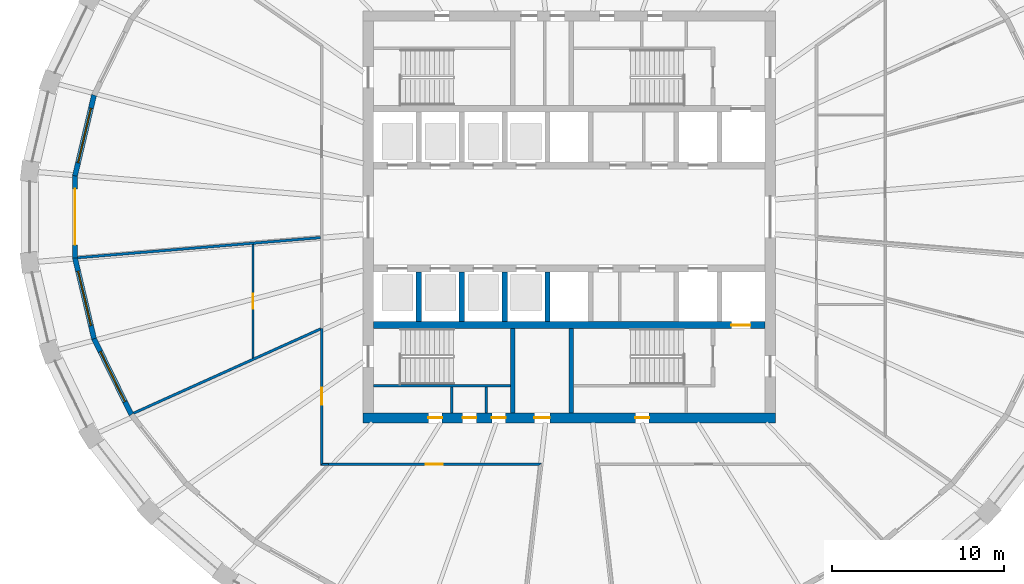
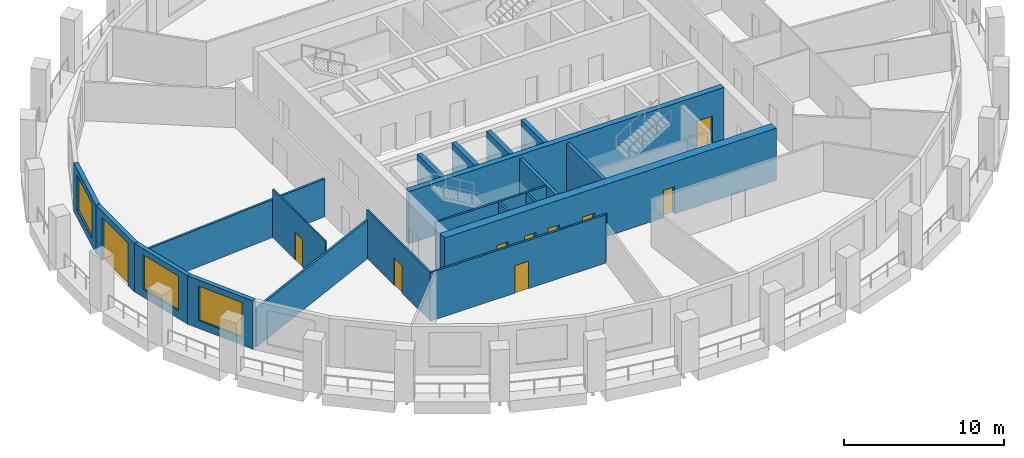
# One storey, part 3 of 11: 21 walls, 10 doors, 3 windows, 13 openings.
"""IFC4 building model written with IfcOpenShell, lengths in metres."""

from ifc_helpers import new_model, si_unit, direction, frame, frame_2d, origin, place, context, subcontext, project, spatial, polyline, rectangle, outline, extrude, material, layer, layer_set, type_object, element, fill, save


model = new_model("IFC4")

# Units and contexts
model_context = context("Model", 3, precision=1e-05, world=origin(), true_north=direction((0.0, 1.0)))
body_context = subcontext(model_context, "Body", "Model", "MODEL_VIEW")
ifc_project = project(units=[si_unit("LENGTHUNIT", "METRE"), si_unit("AREAUNIT", "SQUARE_METRE"), si_unit("VOLUMEUNIT", "CUBIC_METRE"), si_unit("PLANEANGLEUNIT", "RADIAN"), si_unit("MASSUNIT", "GRAM", prefix="KILO")], contexts=[model_context])

# Site, building, storey
site_placement = place(None, origin())
site = spatial("IfcSite", under=ifc_project, at=site_placement, CompositionType="ELEMENT")
building_placement = place(site_placement, origin())
building = spatial("IfcBuilding", under=site, at=building_placement, Name="Halqa Exchange Tower", CompositionType="ELEMENT")
storey_placement = place(building_placement, frame((0.0, 0.0, 230.89990234375)))
storey = spatial("IfcBuildingStorey", under=building, at=storey_placement, Name="L53", CompositionType="ELEMENT", Elevation=230.89990234375)

# Walls
ifc_material_1 = material(Name="Fire-rated gypsum board")
ifc_layer_1 = layer(ifc_material_1, 0.14990234375)
ifc_layer_set_1 = layer_set([ifc_layer_1], Name="Fire-rated gypsum board")
wall_type_1 = type_object("IfcWallType", Name="Fire partition EI 60 150", PredefinedType="PARTITIONING", material=ifc_layer_set_1)
wall_1_placement = place(storey_placement, frame((-28.607666015625, -2.375, 0.0), z_axis=(0.0, 0.0, 1.0), x_axis=(0.996598135394, 0.082414540768, 0.0)))
element("IfcWall", 1, at=wall_1_placement, inside=storey, type_object=wall_type_1, Name="L53-PWL-001", PredefinedType="PARTITIONING", context=body_context, shape_type="SweptSolid", body=[
    extrude(outline(polyline([(0.004638671875, -0.074951171875), (1.701416015625, -0.074951171875), (3.3984375, -0.074951171875), (5.095458984375, -0.074951171875), (6.792236328125, -0.074951171875), (8.4892578125, -0.074951171875), (10.18603515625, -0.074951171875), (10.186279296875, -0.07470703125), (10.188720703125, -0.074951171875), (12.181640625, -0.074951171875), (14.1748046875, -0.074951171875), (14.186767578125, 0.07080078125), (14.186767578125, 0.074951171875), (12.413330078125, 0.074951171875), (10.64013671875, 0.074951171875), (8.86669921875, 0.074951171875), (7.09326171875, 0.074951171875), (5.320068359375, 0.074951171875), (3.546630859375, 0.074951171875), (1.7734375, 0.074951171875), (0.0, 0.074951171875), (0.0, -0.04443359375), (0.004638671875, -0.074951171875)])), origin(), (0.0, 0.0, 1.0), 2.900146484375),
])
wall_2_placement = place(storey_placement, frame((-25.360107421875, -11.428466796875, 0.0), z_axis=(0.0, 0.0, 1.0), x_axis=(0.911719171836, 0.410814011089, 0.0)))
element("IfcWall", 2, at=wall_2_placement, inside=storey, type_object=wall_type_1, Name="L53-PWL-002", PredefinedType="PARTITIONING", context=body_context, shape_type="SweptSolid", body=[
    extrude(outline(polyline([(0.0205078125, -0.074951171875), (2.004150390625, -0.074951171875), (3.98779296875, -0.074951171875), (5.97119140625, -0.074951171875), (7.954833984375, -0.074951171875), (9.938232421875, -0.074951171875), (11.921875, -0.074951171875), (11.966552734375, 0.024658203125), (11.952880859375, 0.03076171875), (11.972412109375, 0.073974609375), (11.972412109375, 0.074951171875), (10.555908203125, 0.074951171875), (9.13916015625, 0.074951171875), (7.72265625, 0.074951171875), (7.7216796875, 0.07275390625), (7.716796875, 0.074951171875), (5.78759765625, 0.074951171875), (3.8583984375, 0.074951171875), (1.92919921875, 0.074951171875), (0.0, 0.074951171875), (0.0, 0.062744140625), (0.002197265625, -0.001708984375), (0.0205078125, -0.074951171875)])), origin(), (0.0, 0.0, 1.0), 2.947021484375),
])

# Wall, opening, door
wall_3_placement = place(storey_placement, frame((-1.595703125, -14.39990234375, 0.0), z_axis=(0.0, 0.0, 1.0), x_axis=(-1.0, 0.0, 0.0)))
wall_3 = element("IfcWall", 3, at=wall_3_placement, inside=storey, type_object=wall_type_1, Name="L53-PWL-012", PredefinedType="PARTITIONING", context=body_context, shape_type="SweptSolid", body=[
    extrude(outline(polyline([(12.414306640625, 0.074951171875), (10.664794921875, 0.074951171875), (8.91552734375, 0.074951171875), (7.166015625, 0.074951171875), (5.416748046875, 0.074951171875), (3.667236328125, 0.074951171875), (1.917724609375, 0.074951171875), (0.16845703125, 0.074951171875), (0.0, -0.074951171875), (0.0, -0.074951171875), (1.7734375, -0.074951171875), (3.546875, -0.074951171875), (5.3203125, -0.074951171875), (7.093994140625, -0.074951171875), (8.867431640625, -0.074951171875), (10.640869140625, -0.074951171875), (12.414306640625, -0.074951171875), (12.414306640625, 0.074951171875)])), origin(), (0.0, 0.0, 1.0), 3.7001953125),
])
opening_1_placement = place(wall_3_placement, frame((5.749267578125, 0.0, 0.0)))
opening_1 = element("IfcOpeningElement", 4, at=opening_1_placement, cuts=wall_3, Name="Opening 16-05", PredefinedType="OPENING", context=body_context, shape_type="SweptSolid", body=[
    extrude(rectangle(XDim=1.0, YDim=2.10009765625, at=frame_2d((0.5, 1.050048828125))), frame((0.0, 0.0869140625, 0.0), z_axis=(0.0, -1.0, 0.0), x_axis=(1.0, 0.0, 0.0)), (0.0, 0.0, 1.0), 0.173828125),
])
ifc_material_2 = material(Name="Steel fire door leaf", Category="steel")
door_type_1 = type_object("IfcDoorType", Name="Fire door FD30S 1000 x 2100", OperationType="SINGLE_SWING_LEFT", PredefinedType="DOOR", material=ifc_material_2)
door_1_placement = place(opening_1_placement, origin())
door_1 = element("IfcDoor", 5, at=door_1_placement, inside=storey, type_object=door_type_1, Name="L53-IDR-005", OperationType="SINGLE_SWING_LEFT", OverallHeight=2.10009765625, OverallWidth=1.0, PredefinedType="DOOR", context=body_context, shape_type="SweptSolid", body=[
    extrude(rectangle(XDim=1.0, YDim=2.10009765625, at=frame_2d((0.5, 1.050048828125))), frame((0.0, 0.02490234375, 0.0), z_axis=(0.0, -1.0, 0.0), x_axis=(1.0, 0.0, 0.0)), (0.0, 0.0, 1.0), 0.050048828125),
])
fill(opening_1, door_1)

ifc_material_3 = material(Name="Fire-rated glazing", Category="glass")
ifc_layer_2 = layer(ifc_material_3, 0.1201171875)
ifc_layer_set_2 = layer_set([ifc_layer_2], Name="Fire-rated glazing")
wall_type_2 = type_object("IfcWallType", Name="Glazed fire partition EI 60 120", PredefinedType="PARTITIONING", material=ifc_layer_set_2)
wall_4_placement = place(storey_placement, frame((-14.39990234375, -14.4599609375, 0.0), z_axis=(0.0, 0.0, 1.0), x_axis=(0.0, 1.0, 0.0)))
wall_4 = element("IfcWall", 6, at=wall_4_placement, inside=storey, type_object=wall_type_2, Name="L53-PWL-005", PredefinedType="PARTITIONING", context=body_context, shape_type="SweptSolid", body=[
    extrude(outline(polyline([(7.969970703125, 0.06005859375), (5.9775390625, 0.06005859375), (3.98486328125, 0.06005859375), (1.992431640625, 0.06005859375), (0.0, 0.06005859375), (0.1201171875, -0.06005859375), (2.08251953125, -0.06005859375), (4.044921875, -0.06005859375), (6.007568359375, -0.06005859375), (7.969970703125, -0.06005859375), (7.969970703125, 0.06005859375)])), origin(), (0.0, 0.0, 1.0), 3.7001953125),
])
opening_2_placement = place(wall_4_placement, frame((3.514892578125, 0.0, 0.0)))
opening_2 = element("IfcOpeningElement", 7, at=opening_2_placement, cuts=wall_4, Name="Opening 16-04", PredefinedType="OPENING", context=body_context, shape_type="SweptSolid", body=[
    extrude(rectangle(XDim=1.0, YDim=2.10009765625, at=frame_2d((0.5, 1.050048828125))), frame((0.0, 0.072021484375, 0.0), z_axis=(0.0, -1.0, 0.0), x_axis=(1.0, 0.0, 0.0)), (0.0, 0.0, 1.0), 0.14404296875),
])
door_2_placement = place(opening_2_placement, origin())
door_2 = element("IfcDoor", 8, at=door_2_placement, inside=storey, type_object=door_type_1, Name="L53-IDR-004", OperationType="SINGLE_SWING_LEFT", OverallHeight=2.10009765625, OverallWidth=1.0, PredefinedType="DOOR", context=body_context, shape_type="SweptSolid", body=[
    extrude(rectangle(XDim=1.0, YDim=2.10009765625, at=frame_2d((0.5, 1.050048828125))), frame((0.0, 0.02490234375, 0.0), z_axis=(0.0, -1.0, 0.0), x_axis=(1.0, 0.0, 0.0)), (0.0, 0.0, 1.0), 0.050048828125),
])
fill(opening_2, door_2)

# Wall
wall_5_placement = place(storey_placement, frame((-14.010009765625, -14.39990234375, 0.0), z_axis=(0.0, 0.0, 1.0), x_axis=(-1.0, 0.0, 0.0)))
element("IfcWall", 9, at=wall_5_placement, inside=storey, type_object=wall_type_2, Name="L53-PWL-009", PredefinedType="PARTITIONING", context=body_context, shape_type="SweptSolid", body=[
    extrude(outline(polyline([(0.0, -0.06005859375), (0.329833984375, -0.06005859375), (0.449951171875, 0.06005859375), (0.0, 0.06005859375), (0.0, -0.06005859375)])), origin(), (0.0, 0.0, 1.0), 3.7001953125),
])

# Wall, opening, door
ifc_material_4 = material(Name="Gypsum board")
ifc_layer_3 = layer(ifc_material_4, 0.10009765625)
ifc_layer_set_3 = layer_set([ifc_layer_3], Name="Gypsum board")
wall_type_3 = type_object("IfcWallType", Name="Partition 100 gypsum", PredefinedType="PARTITIONING", material=ifc_layer_set_3)
wall_6_placement = place(storey_placement, frame((-18.39990234375, -8.232421875, 0.0), z_axis=(0.0, 0.0, 1.0), x_axis=(0.0, 1.0, 0.0)))
wall_6 = element("IfcWall", 10, at=wall_6_placement, inside=storey, type_object=wall_type_3, Name="L53-PWL-003", PredefinedType="PARTITIONING", context=body_context, shape_type="SweptSolid", body=[
    extrude(outline(polyline([(6.63037109375, -0.050048828125), (6.63037109375, -0.04833984375), (6.622314453125, 0.050048828125), (4.966796875, 0.050048828125), (3.31103515625, 0.050048828125), (1.655517578125, 0.050048828125), (0.0, 0.050048828125), (0.0, 0.0498046875), (0.044921875, -0.050048828125), (1.69140625, -0.050048828125), (3.337646484375, -0.050048828125), (4.984130859375, -0.050048828125), (6.63037109375, -0.050048828125)])), origin(), (0.0, 0.0, 1.0), 3.7001953125),
])
opening_3_placement = place(wall_6_placement, frame((2.87255859375, 0.0, 0.0)))
opening_3 = element("IfcOpeningElement", 11, at=opening_3_placement, cuts=wall_6, Name="Opening 16-11", PredefinedType="OPENING", context=body_context, shape_type="SweptSolid", body=[
    extrude(rectangle(XDim=0.89990234375, YDim=2.10009765625, at=frame_2d((0.449951171875, 1.050048828125))), frame((0.0, 0.06201171875, 0.0), z_axis=(0.0, -1.0, 0.0), x_axis=(1.0, 0.0, 0.0)), (0.0, 0.0, 1.0), 0.1240234375),
])
ifc_material_5 = material(Name="Timber door leaf", Category="wood")
door_type_2 = type_object("IfcDoorType", Name="Door 900 x 2100", OperationType="SINGLE_SWING_LEFT", PredefinedType="DOOR", material=ifc_material_5)
door_3_placement = place(opening_3_placement, frame((0.89990234375, 0.0, 0.0), z_axis=(0.0, 0.0, 1.0), x_axis=(-1.0, 0.0, 0.0)))
door_3 = element("IfcDoor", 12, at=door_3_placement, inside=storey, type_object=door_type_2, Name="L53-IDR-011", OperationType="SINGLE_SWING_RIGHT", OverallHeight=2.10009765625, OverallWidth=0.89990234375, PredefinedType="DOOR", context=body_context, shape_type="SweptSolid", body=[
    extrude(rectangle(XDim=0.89990234375, YDim=2.10009765625, at=frame_2d((0.449951171875, 1.050048828125))), frame((0.0, 0.02490234375, 0.0), z_axis=(0.0, -1.0, 0.0), x_axis=(1.0, 0.0, 0.0)), (0.0, 0.0, 1.0), 0.050048828125),
])
fill(opening_3, door_3)

# Walls
ifc_layer_4 = layer(ifc_material_4, 0.14990234375)
ifc_layer_set_4 = layer_set([ifc_layer_4], Name="Gypsum board")
wall_type_4 = type_object("IfcWallType", Name="Penthouse riser wall 150 gypsum", PredefinedType="PARTITIONING", material=ifc_layer_set_4)
for number, where, z_axis, x_axis, name in (
    (13, (-6.824951171875, -11.39990234375, 0.0), (0.0, 0.0, 1.0), (0.0, 1.0, 0.0), "Partition W6.825 S"),
    (14, (-4.824951171875, -11.39990234375, 0.0), (0.0, 0.0, 1.0), (0.0, 1.0, 0.0), "Partition W4.825 S"),
):
    element("IfcWall", number, at=place(storey_placement, frame(where, z_axis=z_axis, x_axis=x_axis)), inside=storey, type_object=wall_type_4, Name=name, PredefinedType="PARTITIONING", context=body_context, shape_type="SweptSolid", body=[
        extrude(rectangle(XDim=1.5, YDim=0.14990234375, at=frame_2d((0.75, 0.0))), origin(), (0.0, 0.0, 1.0), 3.7001953125),
    ])
ifc_material_6 = material(Name="Concrete C60/75", Category="concrete")
ifc_layer_5 = layer(ifc_material_6, 0.300048828125)
ifc_layer_set_5 = layer_set([ifc_layer_5], Name="Concrete C60/75")
wall_type_5 = type_object("IfcWallType", Name="RC core wall 300", PredefinedType="SHEAR", material=ifc_layer_set_5)
for number, where, z_axis, x_axis, name in (
    (15, (-8.75, -6.10009765625, 0.0), (0.0, 0.0, 1.0), (0.0, 1.0, 0.0), "Shaft divider S1"),
    (16, (-6.25, -6.10009765625, 0.0), (0.0, 0.0, 1.0), (0.0, 1.0, 0.0), "Shaft divider S2"),
    (17, (-3.75, -6.10009765625, 0.0), (0.0, 0.0, 1.0), (0.0, 1.0, 0.0), "Shaft divider S3"),
    (18, (-1.25, -6.10009765625, 0.0), (0.0, 0.0, 1.0), (0.0, 1.0, 0.0), "Shaft divider S4"),
):
    element("IfcWall", number, at=place(storey_placement, frame(where, z_axis=z_axis, x_axis=x_axis)), inside=storey, type_object=wall_type_5, Name=name, PredefinedType="SHEAR", context=body_context, shape_type="SweptSolid", body=[
        extrude(rectangle(XDim=2.900146484375, YDim=0.300048828125, at=frame_2d((1.4501953125, 0.0))), origin(), (0.0, 0.0, 1.0), 4.0),
    ])

# Wall, opening, door
ifc_material_7 = material(Name="Concrete C70/85", Category="concrete")
ifc_layer_6 = layer(ifc_material_7, 0.39990234375)
ifc_layer_set_6 = layer_set([ifc_layer_6], Name="Concrete C70/85")
wall_type_6 = type_object("IfcWallType", Name="RC core wall 400 C70/85", PredefinedType="SHEAR", material=ifc_layer_set_6)
wall_7_placement = place(storey_placement, frame((-11.39990234375, -6.300048828125, 0.0), z_axis=(0.0, 0.0, 1.0), x_axis=(1.0, 0.0, 0.0)))
wall_7 = element("IfcWall", 19, at=wall_7_placement, inside=storey, type_object=wall_type_6, Name="Lift row back wall S", PredefinedType="SHEAR", context=body_context, shape_type="SweptSolid", body=[
    extrude(rectangle(XDim=22.7998046875, YDim=0.39990234375, at=frame_2d((11.39990234375, 0.0))), origin(), (0.0, 0.0, 1.0), 4.0),
])
opening_4_placement = place(wall_7_placement, frame((20.85009765625, 0.0, 0.0)))
opening_4 = element("IfcOpeningElement", 20, at=opening_4_placement, cuts=wall_7, Name="Opening LD-FF2-T16", PredefinedType="OPENING", context=body_context, shape_type="SweptSolid", body=[
    extrude(rectangle(XDim=1.10009765625, YDim=2.10009765625, at=frame_2d((0.550048828125, 1.050048828125))), frame((0.0, 0.2119140625, 0.0), z_axis=(0.0, -1.0, 0.0), x_axis=(1.0, 0.0, 0.0)), (0.0, 0.0, 1.0), 0.423828125),
])
ifc_material_8 = material(Name="Stainless steel", Category="steel")
door_type_3 = type_object("IfcDoorType", Name="Lift landing door 1100 x 2100", OperationType="SLIDING_TO_LEFT", PredefinedType="DOOR", material=ifc_material_8)
door_4_placement = place(opening_4_placement, origin())
door_4 = element("IfcDoor", 21, at=door_4_placement, inside=storey, type_object=door_type_3, Name="Lift landing door FF2", OperationType="SLIDING_TO_LEFT", OverallHeight=2.10009765625, OverallWidth=1.10009765625, PredefinedType="DOOR", context=body_context, shape_type="SweptSolid", body=[
    extrude(rectangle(XDim=1.10009765625, YDim=2.10009765625, at=frame_2d((0.550048828125, 1.050048828125))), frame((0.0, 0.02490234375, 0.0), z_axis=(0.0, -1.0, 0.0), x_axis=(1.0, 0.0, 0.0)), (0.0, 0.0, 1.0), 0.050048828125),
])
fill(opening_4, door_4)

# Wall, openings, doors
ifc_layer_7 = layer(ifc_material_7, 0.60009765625)
ifc_layer_set_7 = layer_set([ifc_layer_7], Name="Concrete C70/85")
wall_type_7 = type_object("IfcWallType", Name="RC core wall 600 C70/85", PredefinedType="SHEAR", material=ifc_layer_set_7)
wall_8_placement = place(storey_placement, frame((-12.0, -11.699951171875, 0.0), z_axis=(0.0, 0.0, 1.0), x_axis=(1.0, 0.0, 0.0)))
wall_8 = element("IfcWall", 22, at=wall_8_placement, inside=storey, type_object=wall_type_7, Name="Core wall south", PredefinedType="SHEAR", context=body_context, shape_type="SweptSolid", body=[
    extrude(rectangle(XDim=24.0, YDim=0.60009765625, at=frame_2d((12.0, 0.0))), origin(), (0.0, 0.0, 1.0), 4.0),
])
opening_5_placement = place(wall_8_placement, frame((9.97509765625, 0.0, 0.0)))
opening_5 = element("IfcOpeningElement", 23, at=opening_5_placement, cuts=wall_8, Name="Opening T16-C26", PredefinedType="OPENING", context=body_context, shape_type="SweptSolid", body=[
    extrude(rectangle(XDim=0.89990234375, YDim=2.10009765625, at=frame_2d((0.449951171875, 1.050048828125))), frame((0.0, 0.31201171875, 0.0), z_axis=(0.0, -1.0, 0.0), x_axis=(1.0, 0.0, 0.0)), (0.0, 0.0, 1.0), 0.6240234375),
])
opening_6_placement = place(wall_8_placement, frame((3.800048828125, 0.0, 0.0)))
opening_6 = element("IfcOpeningElement", 24, at=opening_6_placement, cuts=wall_8, Name="Opening T16-C27", PredefinedType="OPENING", context=body_context, shape_type="SweptSolid", body=[
    extrude(rectangle(XDim=0.800048828125, YDim=2.10009765625, at=frame_2d((0.39990234375, 1.050048828125))), frame((0.0, 0.31201171875, 0.0), z_axis=(0.0, -1.0, 0.0), x_axis=(1.0, 0.0, 0.0)), (0.0, 0.0, 1.0), 0.6240234375),
])
opening_7_placement = place(wall_8_placement, frame((5.800048828125, 0.0, 0.0)))
opening_7 = element("IfcOpeningElement", 25, at=opening_7_placement, cuts=wall_8, Name="Opening T16-C28", PredefinedType="OPENING", context=body_context, shape_type="SweptSolid", body=[
    extrude(rectangle(XDim=0.800048828125, YDim=2.10009765625, at=frame_2d((0.39990234375, 1.050048828125))), frame((0.0, 0.31201171875, 0.0), z_axis=(0.0, -1.0, 0.0), x_axis=(1.0, 0.0, 0.0)), (0.0, 0.0, 1.0), 0.6240234375),
])
opening_8_placement = place(wall_8_placement, frame((7.5, 0.0, 0.0)))
opening_8 = element("IfcOpeningElement", 26, at=opening_8_placement, cuts=wall_8, Name="Opening T16-C29", PredefinedType="OPENING", context=body_context, shape_type="SweptSolid", body=[
    extrude(rectangle(XDim=0.800048828125, YDim=2.10009765625, at=frame_2d((0.39990234375, 1.050048828125))), frame((0.0, 0.31201171875, 0.0), z_axis=(0.0, -1.0, 0.0), x_axis=(1.0, 0.0, 0.0)), (0.0, 0.0, 1.0), 0.6240234375),
])
opening_9_placement = place(wall_8_placement, frame((15.85009765625, 0.0, 0.0)))
opening_9 = element("IfcOpeningElement", 27, at=opening_9_placement, cuts=wall_8, Name="Opening T16-C30", PredefinedType="OPENING", context=body_context, shape_type="SweptSolid", body=[
    extrude(rectangle(XDim=0.800048828125, YDim=2.10009765625, at=frame_2d((0.39990234375, 1.050048828125))), frame((0.0, 0.31201171875, 0.0), z_axis=(0.0, -1.0, 0.0), x_axis=(1.0, 0.0, 0.0)), (0.0, 0.0, 1.0), 0.6240234375),
])
ifc_material_9 = material(Name="Timber fire door leaf", Category="wood")
door_type_4 = type_object("IfcDoorType", Name="Core room door FD30 900 x 2100", OperationType="SINGLE_SWING_LEFT", PredefinedType="DOOR", material=ifc_material_9)
door_5_placement = place(opening_5_placement, origin())
door_5 = element("IfcDoor", 28, at=door_5_placement, inside=storey, type_object=door_type_4, Name="Core room door", OperationType="SINGLE_SWING_RIGHT", OverallHeight=2.10009765625, OverallWidth=0.89990234375, PredefinedType="DOOR", context=body_context, shape_type="SweptSolid", body=[
    extrude(rectangle(XDim=0.89990234375, YDim=2.10009765625, at=frame_2d((0.449951171875, 1.050048828125))), frame((0.0, 0.02490234375, 0.0), z_axis=(0.0, -1.0, 0.0), x_axis=(1.0, 0.0, 0.0)), (0.0, 0.0, 1.0), 0.050048828125),
])
fill(opening_5, door_5)
door_type_5 = type_object("IfcDoorType", Name="Riser door FD60 800 x 2100", OperationType="SINGLE_SWING_LEFT", PredefinedType="DOOR", material=ifc_material_2)
door_6_placement = place(opening_6_placement, origin())
door_6 = element("IfcDoor", 29, at=door_6_placement, inside=storey, type_object=door_type_5, Name="Core room door", OperationType="SINGLE_SWING_LEFT", OverallHeight=2.10009765625, OverallWidth=0.800048828125, PredefinedType="DOOR", context=body_context, shape_type="SweptSolid", body=[
    extrude(rectangle(XDim=0.800048828125, YDim=2.10009765625, at=frame_2d((0.39990234375, 1.050048828125))), frame((0.0, 0.02490234375, 0.0), z_axis=(0.0, -1.0, 0.0), x_axis=(1.0, 0.0, 0.0)), (0.0, 0.0, 1.0), 0.050048828125),
])
fill(opening_6, door_6)
door_7_placement = place(opening_7_placement, origin())
door_7 = element("IfcDoor", 30, at=door_7_placement, inside=storey, type_object=door_type_5, Name="Core room door", OperationType="SINGLE_SWING_LEFT", OverallHeight=2.10009765625, OverallWidth=0.800048828125, PredefinedType="DOOR", context=body_context, shape_type="SweptSolid", body=[
    extrude(rectangle(XDim=0.800048828125, YDim=2.10009765625, at=frame_2d((0.39990234375, 1.050048828125))), frame((0.0, 0.02490234375, 0.0), z_axis=(0.0, -1.0, 0.0), x_axis=(1.0, 0.0, 0.0)), (0.0, 0.0, 1.0), 0.050048828125),
])
fill(opening_7, door_7)
door_8_placement = place(opening_8_placement, origin())
door_8 = element("IfcDoor", 31, at=door_8_placement, inside=storey, type_object=door_type_5, Name="Core room door", OperationType="SINGLE_SWING_LEFT", OverallHeight=2.10009765625, OverallWidth=0.800048828125, PredefinedType="DOOR", context=body_context, shape_type="SweptSolid", body=[
    extrude(rectangle(XDim=0.800048828125, YDim=2.10009765625, at=frame_2d((0.39990234375, 1.050048828125))), frame((0.0, 0.02490234375, 0.0), z_axis=(0.0, -1.0, 0.0), x_axis=(1.0, 0.0, 0.0)), (0.0, 0.0, 1.0), 0.050048828125),
])
fill(opening_8, door_8)
door_9_placement = place(opening_9_placement, origin())
door_9 = element("IfcDoor", 32, at=door_9_placement, inside=storey, type_object=door_type_5, Name="Core room door", OperationType="SINGLE_SWING_LEFT", OverallHeight=2.10009765625, OverallWidth=0.800048828125, PredefinedType="DOOR", context=body_context, shape_type="SweptSolid", body=[
    extrude(rectangle(XDim=0.800048828125, YDim=2.10009765625, at=frame_2d((0.39990234375, 1.050048828125))), frame((0.0, 0.02490234375, 0.0), z_axis=(0.0, -1.0, 0.0), x_axis=(1.0, 0.0, 0.0)), (0.0, 0.0, 1.0), 0.050048828125),
])
fill(opening_9, door_9)

# Walls
ifc_material_10 = material(Name="Concrete C30/37", Category="concrete")
ifc_layer_8 = layer(ifc_material_10, 0.14990234375)
ifc_layer_set_8 = layer_set([ifc_layer_8], Name="Concrete C30/37")
wall_type_8 = type_object("IfcWallType", Name="RC stair wall 150 C30/37", PredefinedType="SHEAR", material=ifc_layer_set_8)
wall_9_placement = place(storey_placement, frame((-11.39990234375, -9.824951171875, 0.0), z_axis=(0.0, 0.0, 1.0), x_axis=(1.0, 0.0, 0.0)))
element("IfcWall", 33, at=wall_9_placement, inside=storey, type_object=wall_type_8, Name="Stair ST1 north wall S", PredefinedType="SHEAR", context=body_context, shape_type="SweptSolid", body=[
    extrude(rectangle(XDim=8.0, YDim=0.14990234375, at=frame_2d((4.0, 0.0))), origin(), (0.0, 0.0, 1.0), 3.7001953125),
])
ifc_layer_9 = layer(ifc_material_10, 0.25)
ifc_layer_set_9 = layer_set([ifc_layer_9], Name="Concrete C30/37")
wall_type_9 = type_object("IfcWallType", Name="RC stair wall 250 C30/37", PredefinedType="SHEAR", material=ifc_layer_set_9)
for number, where, z_axis, x_axis, name in (
    (34, (-3.27490234375, -11.39990234375, 0.0), (0.0, 0.0, 1.0), (0.0, 1.0, 0.0), "Stair ST1 east wall S"),
    (35, (0.125, -11.39990234375, 0.0), (0.0, 0.0, 1.0), (0.0, 1.0, 0.0), "Stair ST2 west wall S"),
):
    element("IfcWall", number, at=place(storey_placement, frame(where, z_axis=z_axis, x_axis=x_axis)), inside=storey, type_object=wall_type_9, Name=name, PredefinedType="SHEAR", context=body_context, shape_type="SweptSolid", body=[
        extrude(rectangle(XDim=4.89990234375, YDim=0.25, at=frame_2d((2.449951171875, 0.0))), origin(), (0.0, 0.0, 1.0), 3.7001953125),
    ])

# Wall, opening, window
ifc_material_11 = material(Name="Limestone cladding", Category="masonry")
ifc_layer_10 = layer(ifc_material_11, 0.0400390625)
ifc_material_12 = material(Name="Ventilated cavity")
ifc_layer_11 = layer(ifc_material_12, 0.030029296875, ventilated=True)
ifc_material_13 = material(Name="Mineral wool insulation")
ifc_layer_12 = layer(ifc_material_13, 0.10009765625)
ifc_layer_13 = layer(ifc_material_10, 0.10009765625)
ifc_material_14 = material(Name="Internal plaster")
ifc_layer_14 = layer(ifc_material_14, 0.030029296875)
ifc_layer_set_10 = layer_set([ifc_layer_10, ifc_layer_11, ifc_layer_12, ifc_layer_13, ifc_layer_14], Name="Stone-faced insulated wall 300")
wall_type_10 = type_object("IfcWallType", Name="Stone-faced insulated wall 300", PredefinedType="STANDARD", material=ifc_layer_set_10)
wall_10_placement = place(storey_placement, frame((-27.656494140625, 7.0888671875, 0.0), z_axis=(0.0, 0.0, 1.0), x_axis=(-0.229617574796, -0.97328093033, 0.0)))
wall_10 = element("IfcWall", 36, at=wall_10_placement, inside=storey, type_object=wall_type_10, Name="Glass-line wall 15", PredefinedType="STANDARD", context=body_context, shape_type="SweptSolid", body=[
    extrude(outline(polyline([(-0.016845703125, -0.14990234375), (4.84130859375, -0.14990234375), (4.806640625, 0.14990234375), (0.016845703125, 0.14990234375), (-0.016845703125, -0.14990234375)])), origin(), (0.0, 0.0, 1.0), 3.7001953125),
])
opening_10_placement = place(wall_10_placement, frame((0.786865234375, 0.0, 0.60009765625)))
opening_10 = element("IfcOpeningElement", 37, at=opening_10_placement, cuts=wall_10, Name="Opening W-F3-15", PredefinedType="OPENING", context=body_context, shape_type="SweptSolid", body=[
    extrude(rectangle(XDim=3.25, YDim=2.64990234375, at=frame_2d((1.625, 1.324951171875))), frame((0.0, 0.162109375, 0.0), z_axis=(0.0, -1.0, 0.0), x_axis=(1.0, 0.0, 0.0)), (0.0, 0.0, 1.0), 0.323974609375),
])
ifc_material_15 = material(Name="Clear low-emissivity glass in aluminium frame", Category="aluminium")
window_type = type_object("IfcWindowType", Name="Fixed clear glazed window 3250 x 2650", PartitioningType="TRIPLE_PANEL_VERTICAL", PredefinedType="WINDOW", material=ifc_material_15)
window_1_placement = place(opening_10_placement, origin())
window_1 = element("IfcWindow", 38, at=window_1_placement, inside=storey, type_object=window_type, Name="Window 3", OverallHeight=2.64990234375, OverallWidth=3.25, PartitioningType="TRIPLE_PANEL_VERTICAL", PredefinedType="WINDOW", context=body_context, shape_type="SweptSolid", body=[
    extrude(rectangle(XDim=3.25, YDim=2.64990234375, at=frame_2d((1.625, 1.324951171875))), frame((0.0, 0.030029296875, 0.0), z_axis=(0.0, -1.0, 0.0), x_axis=(1.0, 0.0, 0.0)), (0.0, 0.0, 1.0), 0.06005859375),
])
fill(opening_10, window_1)

# Wall, opening, door
wall_11_placement = place(storey_placement, frame((-28.76416015625, 2.393798828125, 0.0), z_axis=(0.0, 0.0, 1.0), x_axis=(0.0, -1.0, 0.0)))
wall_11 = element("IfcWall", 39, at=wall_11_placement, inside=storey, type_object=wall_type_10, Name="Glass-line wall 16", PredefinedType="STANDARD", context=body_context, shape_type="SweptSolid", body=[
    extrude(outline(polyline([(-0.017333984375, -0.14990234375), (4.804931640625, -0.14990234375), (4.770263671875, 0.14990234375), (0.017333984375, 0.14990234375), (-0.017333984375, -0.14990234375)])), origin(), (0.0, 0.0, 1.0), 3.7001953125),
])
opening_11_placement = place(wall_11_placement, frame((0.768798828125, 0.0, 0.0)))
opening_11 = element("IfcOpeningElement", 40, at=opening_11_placement, cuts=wall_11, Name="Opening LG-F3-04", PredefinedType="OPENING", context=body_context, shape_type="SweptSolid", body=[
    extrude(rectangle(XDim=3.25, YDim=3.25, at=frame_2d((1.625, 1.625))), frame((0.0, 0.162109375, 0.0), z_axis=(0.0, -1.0, 0.0), x_axis=(1.0, 0.0, 0.0)), (0.0, 0.0, 1.0), 0.323974609375),
])
door_type_6 = type_object("IfcDoorType", Name="Glazed sliding loggia door 3250 x 3250", OperationType="DOUBLE_DOOR_SLIDING", PredefinedType="DOOR", material=ifc_material_15)
door_10_placement = place(opening_11_placement, origin())
door_10 = element("IfcDoor", 41, at=door_10_placement, inside=storey, type_object=door_type_6, Name="Loggia door 4", OperationType="DOUBLE_DOOR_SLIDING", OverallHeight=3.25, OverallWidth=3.25, PredefinedType="DOOR", context=body_context, shape_type="SweptSolid", body=[
    extrude(rectangle(XDim=3.25, YDim=3.25, at=frame_2d((1.625, 1.625))), frame((0.0, 0.02490234375, 0.0), z_axis=(0.0, -1.0, 0.0), x_axis=(1.0, 0.0, 0.0)), (0.0, 0.0, 1.0), 0.050048828125),
])
fill(opening_11, door_10)

# Wall, opening, window
wall_12_placement = place(storey_placement, frame((-28.76416015625, -2.393798828125, 0.0), z_axis=(0.0, 0.0, 1.0), x_axis=(0.229617574796, -0.97328093033, 0.0)))
wall_12 = element("IfcWall", 42, at=wall_12_placement, inside=storey, type_object=wall_type_10, Name="Glass-line wall 17", PredefinedType="STANDARD", context=body_context, shape_type="SweptSolid", body=[
    extrude(outline(polyline([(-0.017333984375, -0.14990234375), (4.8408203125, -0.14990234375), (4.80712890625, 0.14990234375), (0.017333984375, 0.14990234375), (-0.017333984375, -0.14990234375)])), origin(), (0.0, 0.0, 1.0), 3.7001953125),
])
opening_12_placement = place(wall_12_placement, frame((0.786865234375, 0.0, 0.60009765625)))
opening_12 = element("IfcOpeningElement", 43, at=opening_12_placement, cuts=wall_12, Name="Opening W-F3-17", PredefinedType="OPENING", context=body_context, shape_type="SweptSolid", body=[
    extrude(rectangle(XDim=3.25, YDim=2.64990234375, at=frame_2d((1.625, 1.324951171875))), frame((0.0, 0.162109375, 0.0), z_axis=(0.0, -1.0, 0.0), x_axis=(1.0, 0.0, 0.0)), (0.0, 0.0, 1.0), 0.323974609375),
])
window_2_placement = place(opening_12_placement, origin())
window_2 = element("IfcWindow", 44, at=window_2_placement, inside=storey, type_object=window_type, Name="Window 3", OverallHeight=2.64990234375, OverallWidth=3.25, PartitioningType="TRIPLE_PANEL_VERTICAL", PredefinedType="WINDOW", context=body_context, shape_type="SweptSolid", body=[
    extrude(rectangle(XDim=3.25, YDim=2.64990234375, at=frame_2d((1.625, 1.324951171875))), frame((0.0, 0.030029296875, 0.0), z_axis=(0.0, -1.0, 0.0), x_axis=(1.0, 0.0, 0.0)), (0.0, 0.0, 1.0), 0.06005859375),
])
fill(opening_12, window_2)

wall_13_placement = place(storey_placement, frame((-27.656494140625, -7.0888671875, 0.0), z_axis=(0.0, 0.0, 1.0), x_axis=(0.440857641837, -0.897577038272, 0.0)))
wall_13 = element("IfcWall", 45, at=wall_13_placement, inside=storey, type_object=wall_type_10, Name="Glass-line wall 18", PredefinedType="STANDARD", context=body_context, shape_type="SweptSolid", body=[
    extrude(outline(polyline([(-0.016845703125, -0.14990234375), (4.94140625, -0.14990234375), (4.9091796875, 0.14990234375), (0.016845703125, 0.14990234375), (-0.016845703125, -0.14990234375)])), origin(), (0.0, 0.0, 1.0), 3.7001953125),
])
opening_13_placement = place(wall_13_placement, frame((0.837646484375, 0.0, 0.60009765625)))
opening_13 = element("IfcOpeningElement", 46, at=opening_13_placement, cuts=wall_13, Name="Opening W-F3-18", PredefinedType="OPENING", context=body_context, shape_type="SweptSolid", body=[
    extrude(rectangle(XDim=3.25, YDim=2.64990234375, at=frame_2d((1.625, 1.324951171875))), frame((0.0, 0.162109375, 0.0), z_axis=(0.0, -1.0, 0.0), x_axis=(1.0, 0.0, 0.0)), (0.0, 0.0, 1.0), 0.323974609375),
])
window_3_placement = place(opening_13_placement, origin())
window_3 = element("IfcWindow", 47, at=window_3_placement, inside=storey, type_object=window_type, Name="Window 3", OverallHeight=2.64990234375, OverallWidth=3.25, PartitioningType="TRIPLE_PANEL_VERTICAL", PredefinedType="WINDOW", context=body_context, shape_type="SweptSolid", body=[
    extrude(rectangle(XDim=3.25, YDim=2.64990234375, at=frame_2d((1.625, 1.324951171875))), frame((0.0, 0.030029296875, 0.0), z_axis=(0.0, -1.0, 0.0), x_axis=(1.0, 0.0, 0.0)), (0.0, 0.0, 1.0), 0.06005859375),
])
fill(opening_13, window_3)

save(model, "model.ifc")
